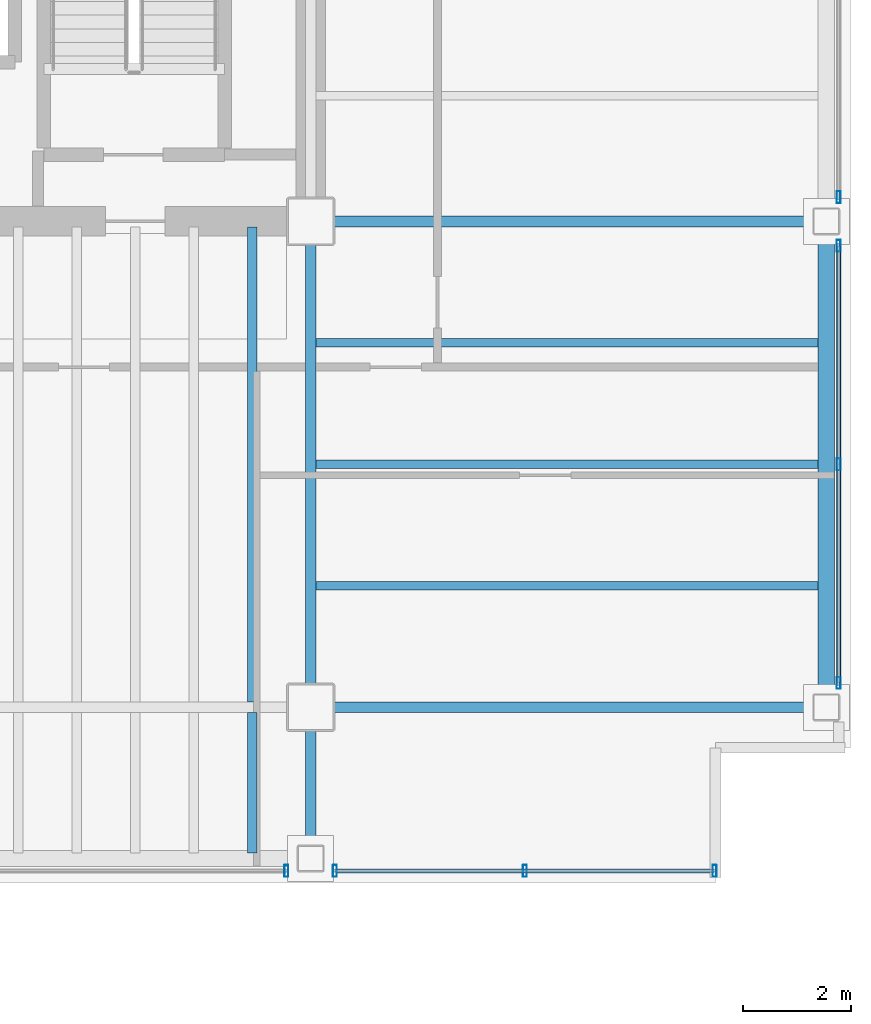
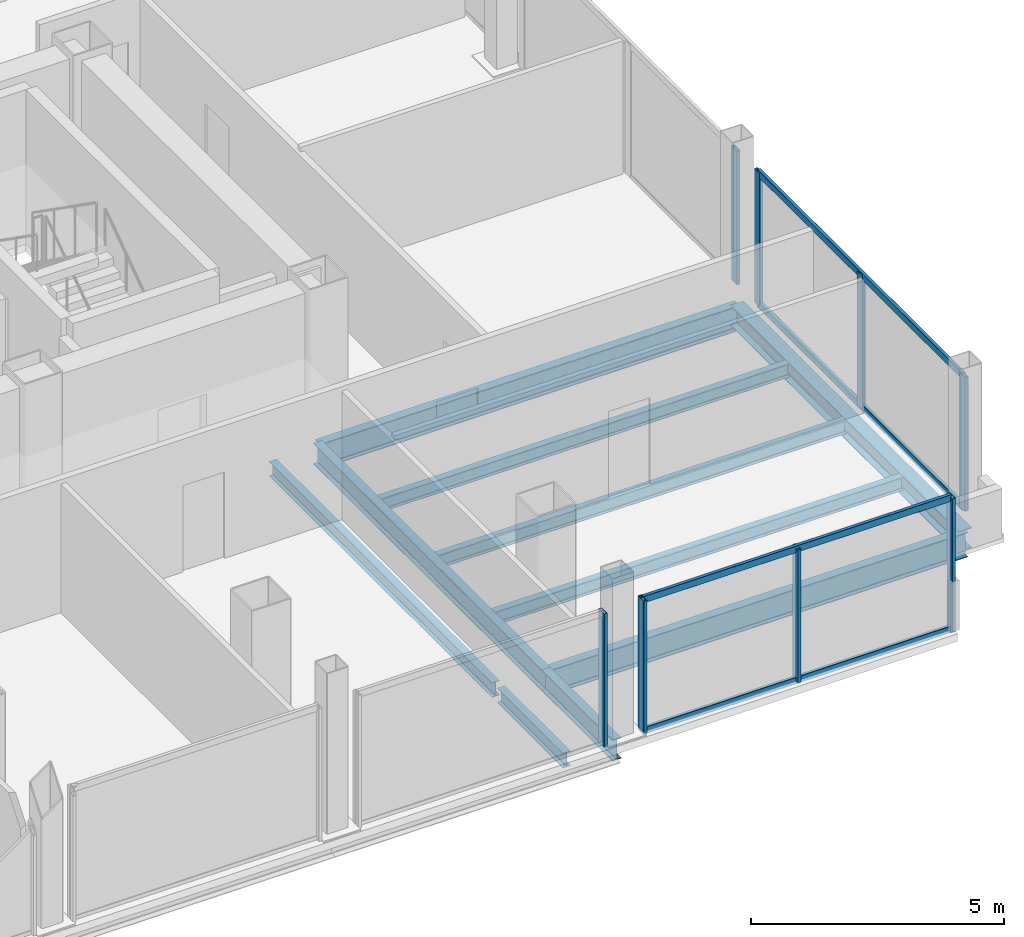
# One storey, part 10 of 15: 12 members, 10 beams, 4 elements without a shape of their own.
"""IFC4 building model written with IfcOpenShell, lengths in metres."""

from ifc_helpers import new_model, si_unit, direction, frame, origin, origin_2d, place, context, subcontext, project, spatial, hollow_rectangle, i_section, extrude, material, material_profile, profile_set, type_object, element, aggregate, save


model = new_model("IFC4")

# Units and contexts
model_context = context("Model", 3, precision=1e-05, world=origin(), true_north=direction((0.0, 1.0)))
body_context = subcontext(model_context, "Body", "Model", "MODEL_VIEW")
ifc_project = project(units=[si_unit("LENGTHUNIT", "METRE"), si_unit("AREAUNIT", "SQUARE_METRE"), si_unit("VOLUMEUNIT", "CUBIC_METRE"), si_unit("PLANEANGLEUNIT", "RADIAN"), si_unit("MASSUNIT", "GRAM", prefix="KILO")], contexts=[model_context])

# Site, building, storey
site_placement = place(None, origin())
site = spatial("IfcSite", under=ifc_project, at=site_placement, CompositionType="ELEMENT")
building_placement = place(site_placement, origin())
building = spatial("IfcBuilding", under=site, at=building_placement, Name="Noeulbin Bourse Tower", CompositionType="ELEMENT")
storey_placement = place(building_placement, frame((0.0, 0.0, 173.39990234375)))
storey = spatial("IfcBuildingStorey", under=building, at=storey_placement, Name="L43", CompositionType="ELEMENT", Elevation=173.39990234375)

# Beams
ifc_material_1 = material(Name="Steel S355", Category="steel")
ifc_material_profile_1 = material_profile(ifc_material_1, i_section(OverallWidth=0.199951171875, OverallDepth=0.5, WebThickness=0.010009765625, FlangeThickness=0.01611328125, FilletRadius=0.02001953125, at=origin_2d()), Name="H-500x200x10x16", Category="LoadBearing")
ifc_profile_set_1 = profile_set([ifc_material_profile_1], Name="Steel S355")
beam_type_1 = type_object("IfcBeamType", Name="BM-GRD-500", PredefinedType="USERDEFINED", material=ifc_profile_set_1)
beam_1_placement = place(storey_placement, frame((44.0, 17.199951171875, -0.429931640625), z_axis=(0.0, 1.0, 0.0), x_axis=(-1.0, 0.0, 0.0)))
element("IfcBeam", 1, at=beam_1_placement, inside=storey, type_object=beam_type_1, Name="Tower Primary Girder NS L43-5.1", ObjectType="GIRDER", PredefinedType="USERDEFINED", context=body_context, shape_type="SweptSolid", body=[
    extrude(i_section(OverallWidth=0.199951171875, OverallDepth=0.5, WebThickness=0.010009765625, FlangeThickness=0.01611328125, FilletRadius=0.02001953125, at=origin_2d()), origin(), (0.0, 0.0, 1.0), 2.800048828125),
])
beam_2_placement = place(storey_placement, frame((44.0, 20.0, -0.429931640625), z_axis=(0.0, 1.0, 0.0), x_axis=(-1.0, 0.0, 0.0)))
element("IfcBeam", 2, at=beam_2_placement, inside=storey, type_object=beam_type_1, Name="Tower Primary Girder NS L43-5.2", ObjectType="GIRDER", PredefinedType="USERDEFINED", context=body_context, shape_type="SweptSolid", body=[
    extrude(i_section(OverallWidth=0.199951171875, OverallDepth=0.5, WebThickness=0.010009765625, FlangeThickness=0.01611328125, FilletRadius=0.02001953125, at=origin_2d()), origin(), (0.0, 0.0, 1.0), 9.0),
])
ifc_material_profile_2 = material_profile(ifc_material_1, i_section(OverallWidth=0.199951171875, OverallDepth=0.60009765625, WebThickness=0.010986328125, FlangeThickness=0.01708984375, FilletRadius=0.02197265625, at=origin_2d()), Name="H-600x200x11x17", Category="LoadBearing")
ifc_profile_set_2 = profile_set([ifc_material_profile_2], Name="Steel S355")
beam_type_2 = type_object("IfcBeamType", Name="BM-GRD-600", PredefinedType="USERDEFINED", material=ifc_profile_set_2)
for number, where, z_axis, x_axis, name in (
    (3, (44.0, 20.0, -0.47998046875), (1.0, 0.0, 0.0), (0.0, 1.0, 0.0), "Tower Primary Girder EW L43-1.6"),
    (4, (44.0, 29.0, -0.47998046875), (1.0, 0.0, 0.0), (0.0, 1.0, 0.0), "Tower Primary Girder EW L43-2.6"),
):
    element("IfcBeam", number, at=place(storey_placement, frame(where, z_axis=z_axis, x_axis=x_axis)), inside=storey, type_object=beam_type_2, Name=name, ObjectType="GIRDER", PredefinedType="USERDEFINED", context=body_context, shape_type="SweptSolid", body=[
        extrude(i_section(OverallWidth=0.199951171875, OverallDepth=0.60009765625, WebThickness=0.010986328125, FlangeThickness=0.01708984375, FilletRadius=0.02197265625, at=origin_2d()), origin(), (0.0, 0.0, 1.0), 9.550048828125),
    ])
ifc_material_profile_3 = material_profile(ifc_material_1, i_section(OverallWidth=0.159912109375, OverallDepth=0.320068359375, WebThickness=0.006591796875, FlangeThickness=0.010009765625, FilletRadius=0.012939453125, at=origin_2d()), Name="H-320x160x6.5x10", Category="LoadBearing")
ifc_profile_set_3 = profile_set([ifc_material_profile_3], Name="Steel S355")
beam_type_3 = type_object("IfcBeamType", Name="BM-JST-320", PredefinedType="JOIST", material=ifc_profile_set_3)
for number, where, z_axis, x_axis, name in (
    (5, (44.10009765625, 22.25, -0.33984375), (1.0, 0.0, 0.0), (0.0, 1.0, 0.0), "Wing Composite Joist L43-E73"),
    (6, (44.10009765625, 24.5, -0.33984375), (1.0, 0.0, 0.0), (0.0, 1.0, 0.0), "Wing Composite Joist L43-E74"),
    (7, (44.10009765625, 26.75, -0.33984375), (1.0, 0.0, 0.0), (0.0, 1.0, 0.0), "Wing Composite Joist L43-E75"),
):
    element("IfcBeam", number, at=place(storey_placement, frame(where, z_axis=z_axis, x_axis=x_axis)), inside=storey, type_object=beam_type_3, Name=name, PredefinedType="JOIST", context=body_context, shape_type="SweptSolid", body=[
        extrude(i_section(OverallWidth=0.159912109375, OverallDepth=0.320068359375, WebThickness=0.006591796875, FlangeThickness=0.010009765625, FilletRadius=0.012939453125, at=origin_2d()), origin(), (0.0, 0.0, 1.0), 9.2998046875),
    ])
ifc_material_profile_4 = material_profile(ifc_material_1, i_section(OverallWidth=0.175048828125, OverallDepth=0.35009765625, WebThickness=0.007080078125, FlangeThickness=0.010986328125, FilletRadius=0.013916015625, at=origin_2d()), Name="H-350x175x7x11", Category="LoadBearing")
ifc_profile_set_4 = profile_set([ifc_material_profile_4], Name="Steel S355")
beam_type_4 = type_object("IfcBeamType", Name="BM-JST-350", PredefinedType="JOIST", material=ifc_profile_set_4)
beam_3_placement = place(storey_placement, frame((42.916748046875, 17.300048828125, -0.35498046875), z_axis=(0.0, 1.0, 0.0), x_axis=(-1.0, 0.0, 0.0)))
element("IfcBeam", 8, at=beam_3_placement, inside=storey, type_object=beam_type_4, Name="Tower Composite Joist L43-64", PredefinedType="JOIST", context=body_context, shape_type="SweptSolid", body=[
    extrude(i_section(OverallWidth=0.175048828125, OverallDepth=0.35009765625, WebThickness=0.007080078125, FlangeThickness=0.010986328125, FilletRadius=0.013916015625, at=origin_2d()), origin(), (0.0, 0.0, 1.0), 2.599853515625),
])
beam_4_placement = place(storey_placement, frame((42.916748046875, 20.10009765625, -0.35498046875), z_axis=(0.0, 1.0, 0.0), x_axis=(-1.0, 0.0, 0.0)))
element("IfcBeam", 9, at=beam_4_placement, inside=storey, type_object=beam_type_4, Name="Tower Composite Joist L43-65", PredefinedType="JOIST", context=body_context, shape_type="SweptSolid", body=[
    extrude(i_section(OverallWidth=0.175048828125, OverallDepth=0.35009765625, WebThickness=0.007080078125, FlangeThickness=0.010986328125, FilletRadius=0.013916015625, at=origin_2d()), origin(), (0.0, 0.0, 1.0), 8.7998046875),
])
ifc_material_profile_5 = material_profile(ifc_material_1, i_section(OverallWidth=0.300048828125, OverallDepth=0.488037109375, WebThickness=0.010986328125, FlangeThickness=0.01806640625, FilletRadius=0.02197265625, at=origin_2d()), Name="H-488x300x11x18", Category="LoadBearing")
ifc_profile_set_5 = profile_set([ifc_material_profile_5], Name="Steel S355")
beam_type_5 = type_object("IfcBeamType", Name="BM-SPN-488", PredefinedType="SPANDREL", material=ifc_profile_set_5)
beam_5_placement = place(storey_placement, frame((53.550048828125, 20.0, -0.423828125), z_axis=(0.0, 1.0, 0.0), x_axis=(-1.0, 0.0, 0.0)))
element("IfcBeam", 10, at=beam_5_placement, inside=storey, type_object=beam_type_5, Name="East Spandrel L43-1", PredefinedType="SPANDREL", context=body_context, shape_type="SweptSolid", body=[
    extrude(i_section(OverallWidth=0.300048828125, OverallDepth=0.488037109375, WebThickness=0.010986328125, FlangeThickness=0.01806640625, FilletRadius=0.02197265625, at=origin_2d()), origin(), (0.0, 0.0, 1.0), 9.0),
])

# Curtain wall, member
ifc_material_2 = material(Name="Dark Tinted Triple Glazing", Category="glass")
curtain_wall_type = type_object("IfcCurtainWallType", Name="CW-SYS-3", PredefinedType="NOTDEFINED", material=ifc_material_2)
curtain_wall_1_placement = place(storey_placement, origin())
curtain_wall_1 = element("IfcCurtainWall", 11, at=curtain_wall_1_placement, inside=storey, type_object=curtain_wall_type, Name="Unitised Curtain Wall CW-L43-S3-S3", PredefinedType="NOTDEFINED")
ifc_material_3 = material(Name="Anodised Aluminium 6063-T6", Category="aluminium")
ifc_material_profile_6 = material_profile(ifc_material_3, hollow_rectangle(XDim=0.074951171875, YDim=0.219970703125, WallThickness=0.0048828125, InnerFilletRadius=0.00244140625, OuterFilletRadius=0.0048828125, at=origin_2d()), Name="ALU-MULL-75x220x5", Category="LoadBearing")
ifc_profile_set_6 = profile_set([ifc_material_profile_6], Name="Anodised Aluminium 6063-T6")
member_type_1 = type_object("IfcMemberType", Name="CW-SYS-3-MUL", PredefinedType="MULLION", material=ifc_profile_set_6)
member_1_placement = place(storey_placement, frame((43.550048828125, 16.969970703125, -0.02001953125), z_axis=(0.0, 0.0, 1.0), x_axis=(1.0, 0.0, 0.0)))
member_1 = element("IfcMember", 12, at=member_1_placement, type_object=member_type_1, Name="Curtain Wall Mullion CW-L43-S3-S3-M01", PredefinedType="MULLION", context=body_context, shape_type="SweptSolid", body=[
    extrude(hollow_rectangle(XDim=0.074951171875, YDim=0.219970703125, WallThickness=0.0048828125, InnerFilletRadius=0.00244140625, OuterFilletRadius=0.0048828125, at=origin_2d()), origin(), (0.0, 0.0, 1.0), 3.22021484375),
])
aggregate(curtain_wall_1, [member_1])

# Curtain wall, members
curtain_wall_2_placement = place(storey_placement, origin())
curtain_wall_2 = element("IfcCurtainWall", 13, at=curtain_wall_2_placement, inside=storey, type_object=curtain_wall_type, Name="Unitised Curtain Wall CW-L43-S3-S4", PredefinedType="NOTDEFINED")
member_2_placement = place(storey_placement, frame((44.449951171875, 16.969970703125, -0.02001953125), z_axis=(0.0, 0.0, 1.0), x_axis=(1.0, 0.0, 0.0)))
member_2 = element("IfcMember", 14, at=member_2_placement, type_object=member_type_1, Name="Curtain Wall Mullion CW-L43-S3-S4-M00", PredefinedType="MULLION", context=body_context, shape_type="SweptSolid", body=[
    extrude(hollow_rectangle(XDim=0.074951171875, YDim=0.219970703125, WallThickness=0.0048828125, InnerFilletRadius=0.00244140625, OuterFilletRadius=0.0048828125, at=origin_2d()), origin(), (0.0, 0.0, 1.0), 3.22021484375),
])
member_3_placement = place(storey_placement, frame((47.965087890625, 16.969970703125, -0.02001953125), z_axis=(0.0, 0.0, 1.0), x_axis=(1.0, 0.0, 0.0)))
member_3 = element("IfcMember", 15, at=member_3_placement, type_object=member_type_1, Name="Curtain Wall Mullion CW-L43-S3-S4-M01", PredefinedType="MULLION", context=body_context, shape_type="SweptSolid", body=[
    extrude(hollow_rectangle(XDim=0.074951171875, YDim=0.219970703125, WallThickness=0.0048828125, InnerFilletRadius=0.00244140625, OuterFilletRadius=0.0048828125, at=origin_2d()), origin(), (0.0, 0.0, 1.0), 3.22021484375),
])
member_4_placement = place(storey_placement, frame((51.47998046875, 16.969970703125, -0.02001953125), z_axis=(0.0, 0.0, 1.0), x_axis=(1.0, 0.0, 0.0)))
member_4 = element("IfcMember", 16, at=member_4_placement, type_object=member_type_1, Name="Curtain Wall Mullion CW-L43-S3-S4-M02", PredefinedType="MULLION", context=body_context, shape_type="SweptSolid", body=[
    extrude(hollow_rectangle(XDim=0.074951171875, YDim=0.219970703125, WallThickness=0.0048828125, InnerFilletRadius=0.00244140625, OuterFilletRadius=0.0048828125, at=origin_2d()), origin(), (0.0, 0.0, 1.0), 3.22021484375),
])

curtain_wall_3_placement = place(storey_placement, origin())
curtain_wall_3 = element("IfcCurtainWall", 17, at=curtain_wall_3_placement, inside=storey, type_object=curtain_wall_type, Name="Unitised Curtain Wall CW-L43-E-S1", PredefinedType="NOTDEFINED")
member_5_placement = place(storey_placement, frame((53.780029296875, 20.449951171875, -0.02001953125), z_axis=(0.0, 0.0, 1.0), x_axis=(1.0, 0.0, 0.0)))
member_5 = element("IfcMember", 18, at=member_5_placement, type_object=member_type_1, Name="Curtain Wall Mullion CW-L43-E-S1-M00", PredefinedType="MULLION", context=body_context, shape_type="SweptSolid", body=[
    extrude(hollow_rectangle(XDim=0.074951171875, YDim=0.219970703125, WallThickness=0.0048828125, InnerFilletRadius=0.00244140625, OuterFilletRadius=0.0048828125, at=origin_2d()), origin(), (0.0, 0.0, 1.0), 3.22021484375),
])
member_6_placement = place(storey_placement, frame((53.780029296875, 24.5, -0.02001953125), z_axis=(0.0, 0.0, 1.0), x_axis=(1.0, 0.0, 0.0)))
member_6 = element("IfcMember", 19, at=member_6_placement, type_object=member_type_1, Name="Curtain Wall Mullion CW-L43-E-S1-M01", PredefinedType="MULLION", context=body_context, shape_type="SweptSolid", body=[
    extrude(hollow_rectangle(XDim=0.074951171875, YDim=0.219970703125, WallThickness=0.0048828125, InnerFilletRadius=0.00244140625, OuterFilletRadius=0.0048828125, at=origin_2d()), origin(), (0.0, 0.0, 1.0), 3.22021484375),
])
member_7_placement = place(storey_placement, frame((53.780029296875, 28.550048828125, -0.02001953125), z_axis=(0.0, 0.0, 1.0), x_axis=(1.0, 0.0, 0.0)))
member_7 = element("IfcMember", 20, at=member_7_placement, type_object=member_type_1, Name="Curtain Wall Mullion CW-L43-E-S1-M02", PredefinedType="MULLION", context=body_context, shape_type="SweptSolid", body=[
    extrude(hollow_rectangle(XDim=0.074951171875, YDim=0.219970703125, WallThickness=0.0048828125, InnerFilletRadius=0.00244140625, OuterFilletRadius=0.0048828125, at=origin_2d()), origin(), (0.0, 0.0, 1.0), 3.22021484375),
])

# Curtain wall, member
curtain_wall_4_placement = place(storey_placement, origin())
curtain_wall_4 = element("IfcCurtainWall", 21, at=curtain_wall_4_placement, inside=storey, type_object=curtain_wall_type, Name="Unitised Curtain Wall CW-L43-E-S2", PredefinedType="NOTDEFINED")
member_8_placement = place(storey_placement, frame((53.780029296875, 29.449951171875, -0.02001953125), z_axis=(0.0, 0.0, 1.0), x_axis=(1.0, 0.0, 0.0)))
member_8 = element("IfcMember", 22, at=member_8_placement, type_object=member_type_1, Name="Curtain Wall Mullion CW-L43-E-S2-M00", PredefinedType="MULLION", context=body_context, shape_type="SweptSolid", body=[
    extrude(hollow_rectangle(XDim=0.074951171875, YDim=0.219970703125, WallThickness=0.0048828125, InnerFilletRadius=0.00244140625, OuterFilletRadius=0.0048828125, at=origin_2d()), origin(), (0.0, 0.0, 1.0), 3.22021484375),
])
aggregate(curtain_wall_4, [member_8])

# Member
ifc_material_profile_7 = material_profile(ifc_material_3, hollow_rectangle(XDim=0.074951171875, YDim=0.159912109375, WallThickness=0.0048828125, InnerFilletRadius=0.00244140625, OuterFilletRadius=0.0048828125, at=origin_2d()), Name="ALU-TRAN-75x160x5", Category="LoadBearing")
ifc_profile_set_7 = profile_set([ifc_material_profile_7], Name="Anodised Aluminium 6063-T6")
member_type_2 = type_object("IfcMemberType", Name="CW-SYS-3-TRN", PredefinedType="USERDEFINED", material=ifc_profile_set_7)
member_9_placement = place(storey_placement, frame((44.4599609375, 16.969970703125, 0.010009765625), z_axis=(1.0, 0.0, 0.0), x_axis=(0.0, 1.0, 0.0)))
member_9 = element("IfcMember", 23, at=member_9_placement, type_object=member_type_2, Name="Curtain Wall Transom CW-L43-S3-S4-T00", ObjectType="TRANSOM", PredefinedType="USERDEFINED", context=body_context, shape_type="SweptSolid", body=[
    extrude(hollow_rectangle(XDim=0.074951171875, YDim=0.159912109375, WallThickness=0.0048828125, InnerFilletRadius=0.00244140625, OuterFilletRadius=0.0048828125, at=origin_2d()), origin(), (0.0, 0.0, 1.0), 7.010009765625),
])

member_10_placement = place(storey_placement, frame((44.4599609375, 16.969970703125, 3.170166015625), z_axis=(1.0, 0.0, 0.0), x_axis=(0.0, 1.0, 0.0)))
member_10 = element("IfcMember", 24, at=member_10_placement, type_object=member_type_2, Name="Curtain Wall Transom CW-L43-S3-S4-T01", ObjectType="TRANSOM", PredefinedType="USERDEFINED", context=body_context, shape_type="SweptSolid", body=[
    extrude(hollow_rectangle(XDim=0.074951171875, YDim=0.159912109375, WallThickness=0.0048828125, InnerFilletRadius=0.00244140625, OuterFilletRadius=0.0048828125, at=origin_2d()), origin(), (0.0, 0.0, 1.0), 7.010009765625),
])

aggregate(curtain_wall_2, [member_2, member_3, member_4, member_9, member_10])

member_11_placement = place(storey_placement, frame((53.780029296875, 20.4599609375, 0.010009765625), z_axis=(0.0, 1.0, 0.0), x_axis=(-1.0, 0.0, 0.0)))
member_11 = element("IfcMember", 25, at=member_11_placement, type_object=member_type_2, Name="Curtain Wall Transom CW-L43-E-S1-T00", ObjectType="TRANSOM", PredefinedType="USERDEFINED", context=body_context, shape_type="SweptSolid", body=[
    extrude(hollow_rectangle(XDim=0.074951171875, YDim=0.159912109375, WallThickness=0.0048828125, InnerFilletRadius=0.00244140625, OuterFilletRadius=0.0048828125, at=origin_2d()), origin(), (0.0, 0.0, 1.0), 8.080078125),
])

member_12_placement = place(storey_placement, frame((53.780029296875, 20.4599609375, 3.170166015625), z_axis=(0.0, 1.0, 0.0), x_axis=(-1.0, 0.0, 0.0)))
member_12 = element("IfcMember", 26, at=member_12_placement, type_object=member_type_2, Name="Curtain Wall Transom CW-L43-E-S1-T01", ObjectType="TRANSOM", PredefinedType="USERDEFINED", context=body_context, shape_type="SweptSolid", body=[
    extrude(hollow_rectangle(XDim=0.074951171875, YDim=0.159912109375, WallThickness=0.0048828125, InnerFilletRadius=0.00244140625, OuterFilletRadius=0.0048828125, at=origin_2d()), origin(), (0.0, 0.0, 1.0), 8.080078125),
])

aggregate(curtain_wall_3, [member_5, member_6, member_7, member_11, member_12])

save(model, "model.ifc")
